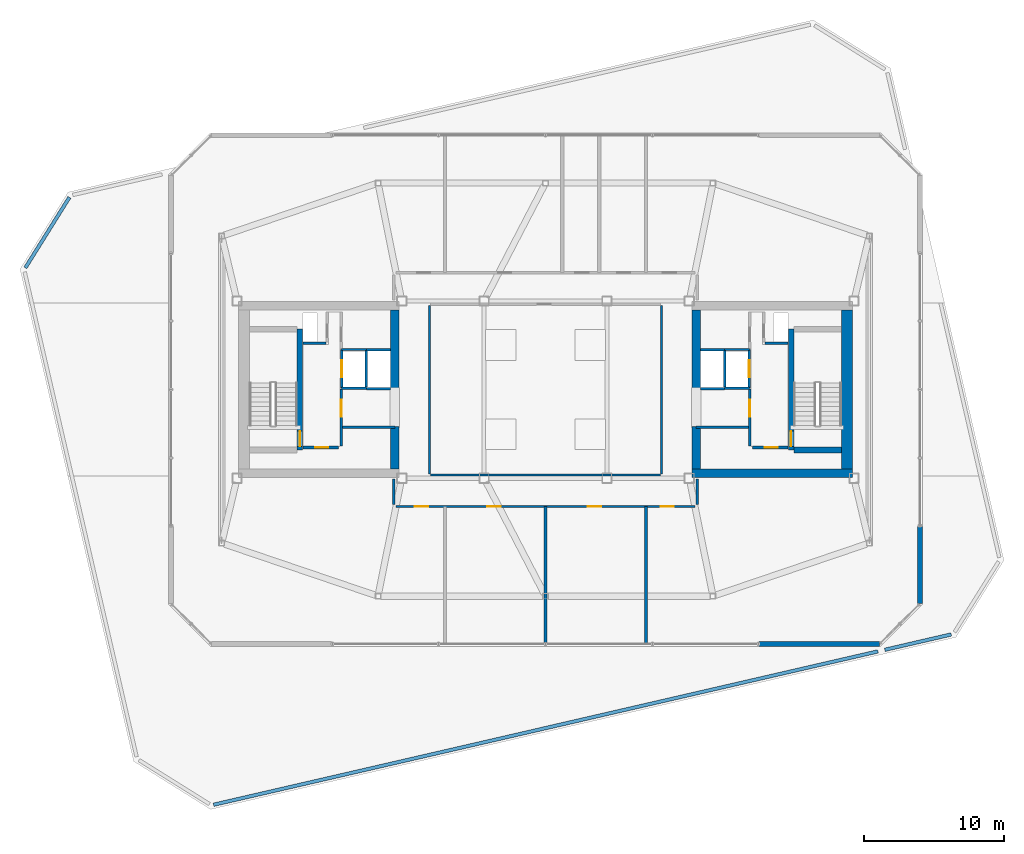
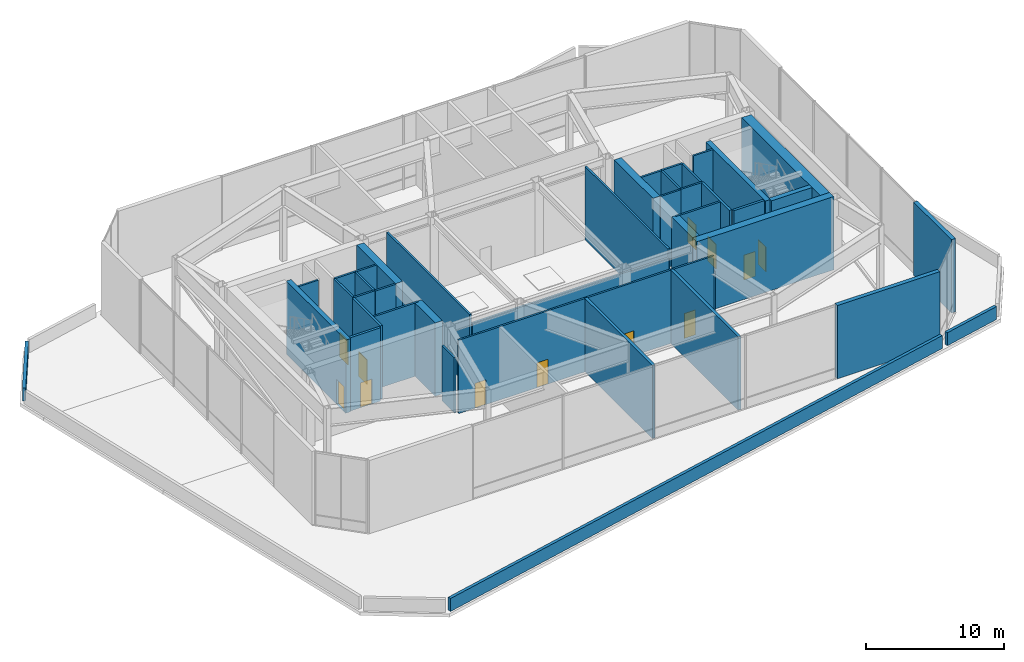
# One storey, part 20 of 25: 42 walls, 12 doors, 12 openings.
"""IFC4 building model written with IfcOpenShell, lengths in metres."""

from ifc_helpers import new_model, si_unit, direction, frame, frame_2d, origin, place, context, subcontext, project, spatial, rectangle, extrude, material, layer, layer_set, type_object, element, fill, save


model = new_model("IFC4")

# Units and contexts
model_context = context("Model", 3, precision=1e-05, world=origin(), true_north=direction((0.0, 1.0)))
body_context = subcontext(model_context, "Body", "Model", "MODEL_VIEW")
ifc_project = project(units=[si_unit("LENGTHUNIT", "METRE"), si_unit("AREAUNIT", "SQUARE_METRE"), si_unit("VOLUMEUNIT", "CUBIC_METRE"), si_unit("PLANEANGLEUNIT", "RADIAN"), si_unit("MASSUNIT", "GRAM", prefix="KILO")], contexts=[model_context])

# Site, building, storey
site_placement = place(None, origin())
site = spatial("IfcSite", under=ifc_project, at=site_placement, CompositionType="ELEMENT")
building_placement = place(site_placement, origin())
building = spatial("IfcBuilding", under=site, at=building_placement, Name="Tavrogorsk Clinical Tower", CompositionType="ELEMENT")
storey_placement = place(building_placement, frame((0.0, 0.0, 333.0)))
storey = spatial("IfcBuildingStorey", under=building, at=storey_placement, Name="L78", CompositionType="ELEMENT", Elevation=333.0)

# Walls
ifc_material_1 = material(Name="Concrete B45 acoustic studio wall", Category="concrete")
ifc_layer_1 = layer(ifc_material_1, 0.239990234375)
ifc_layer_set_1 = layer_set([ifc_layer_1], Name="Concrete B45 acoustic studio wall")
wall_type_1 = type_object("IfcWallType", Name="AcousticWall_240", PredefinedType="PARTITIONING", material=ifc_layer_set_1)
for number, where, z_axis, x_axis, name in (
    (1, (7.199951171875, -18.239990234375, 0.0), (0.0, 0.0, 1.0), (0.0, 1.0, 0.0), "L78 Crown Partition 2"),
    (2, (0.0, -18.239990234375, 0.0), (0.0, 0.0, 1.0), (0.0, 1.0, 0.0), "L78 Crown Partition 5"),
):
    element("IfcWall", number, at=place(storey_placement, frame(where, z_axis=z_axis, x_axis=x_axis)), inside=storey, type_object=wall_type_1, Name=name, PredefinedType="PARTITIONING", context=body_context, shape_type="SweptSolid", body=[
        extrude(rectangle(XDim=9.85498046875, YDim=0.239990234375, at=frame_2d((4.927490234375, 0.0))), origin(), (0.0, 0.0, 1.0), 6.5),
    ])

# Wall, opening, door
ifc_material_2 = material(Name="Concrete B60", Category="concrete")
ifc_layer_2 = layer(ifc_material_2, 0.199951171875)
ifc_layer_set_2 = layer_set([ifc_layer_2], Name="Concrete B60")
wall_type_2 = type_object("IfcWallType", Name="CoreFireWall_200", PredefinedType="SOLIDWALL", material=ifc_layer_set_2)
wall_1_placement = place(storey_placement, frame((-17.3798828125, -4.139892578125, 0.0), z_axis=(0.0, 0.0, 1.0), x_axis=(1.0, 0.0, 0.0)))
wall_1 = element("IfcWall", 3, at=wall_1_placement, inside=storey, type_object=wall_type_2, Name="L78 Core West South Core Room Fire Wall", PredefinedType="SOLIDWALL", context=body_context, shape_type="SweptSolid", body=[
    extrude(rectangle(XDim=2.554931640625, YDim=0.199951171875, at=frame_2d((1.27734375, 0.0))), origin(), (0.0, 0.0, 1.0), 6.5),
])
opening_1_placement = place(wall_1_placement, frame((0.8798828125, 0.0, 0.0)))
opening_1 = element("IfcOpeningElement", 4, at=opening_1_placement, cuts=wall_1, Name="Opening ID-02", PredefinedType="OPENING", context=body_context, shape_type="SweptSolid", body=[
    extrude(rectangle(XDim=0.949951171875, YDim=2.199951171875, at=frame_2d((0.47509765625, 1.10009765625))), frame((0.0, 0.10986328125, 0.0), z_axis=(0.0, -1.0, 0.0), x_axis=(1.0, 0.0, 0.0)), (0.0, 0.0, 1.0), 0.219970703125),
])
ifc_material_3 = material(Name="Laminated timber leaf on aluminium frame", Category="wood")
door_type_1 = type_object("IfcDoorType", Name="InteriorDoor_ID02_950", OperationType="NOTDEFINED", PredefinedType="DOOR", material=ifc_material_3)
door_1_placement = place(opening_1_placement, origin())
door_1 = element("IfcDoor", 5, at=door_1_placement, inside=storey, type_object=door_type_1, Name="L78 Core West South Core Room Door", OperationType="SINGLE_SWING_RIGHT", OverallHeight=2.199951171875, OverallWidth=0.949951171875, PredefinedType="DOOR", context=body_context, shape_type="SweptSolid", body=[
    extrude(rectangle(XDim=0.949951171875, YDim=2.199951171875, at=frame_2d((0.47509765625, 1.10009765625))), frame((0.0, 0.02490234375, 0.0), z_axis=(0.0, -1.0, 0.0), x_axis=(1.0, 0.0, 0.0)), (0.0, 0.0, 1.0), 0.050048828125),
])
fill(opening_1, door_1)

wall_2_placement = place(storey_placement, frame((-14.639892578125, -4.034912109375, 0.0), z_axis=(0.0, 0.0, 1.0), x_axis=(0.0, 1.0, 0.0)))
wall_2 = element("IfcWall", 6, at=wall_2_placement, inside=storey, type_object=wall_type_2, Name="L78 Core West Firefighting Lobby Fire Wall", PredefinedType="SOLIDWALL", context=body_context, shape_type="SweptSolid", body=[
    extrude(rectangle(XDim=4.074951171875, YDim=0.199951171875, at=frame_2d((2.03759765625, 0.0))), origin(), (0.0, 0.0, 1.0), 6.5),
])
opening_2_placement = place(wall_2_placement, frame((2.090087890625, 0.0, 0.0)))
opening_2 = element("IfcOpeningElement", 7, at=opening_2_placement, cuts=wall_2, Name="Opening FD-01", PredefinedType="OPENING", context=body_context, shape_type="SweptSolid", body=[
    extrude(rectangle(XDim=1.199951171875, YDim=2.199951171875, at=frame_2d((0.60009765625, 1.10009765625))), frame((0.0, 0.10986328125, 0.0), z_axis=(0.0, -1.0, 0.0), x_axis=(1.0, 0.0, 0.0)), (0.0, 0.0, 1.0), 0.219970703125),
])
ifc_material_4 = material(Name="Galvanised steel fire-rated door assembly", Category="steel")
door_type_2 = type_object("IfcDoorType", Name="FireDoor_FD01_1200", OperationType="NOTDEFINED", PredefinedType="DOOR", material=ifc_material_4)
door_2_placement = place(opening_2_placement, origin())
door_2 = element("IfcDoor", 8, at=door_2_placement, inside=storey, type_object=door_type_2, Name="L78 Core West Firefighting Lobby Entry Door", OperationType="SINGLE_SWING_RIGHT", OverallHeight=2.199951171875, OverallWidth=1.199951171875, PredefinedType="DOOR", context=body_context, shape_type="SweptSolid", body=[
    extrude(rectangle(XDim=1.199951171875, YDim=2.199951171875, at=frame_2d((0.60009765625, 1.10009765625))), frame((0.0, 0.02490234375, 0.0), z_axis=(0.0, -1.0, 0.0), x_axis=(1.0, 0.0, 0.0)), (0.0, 0.0, 1.0), 0.050048828125),
])
fill(opening_2, door_2)

wall_3_placement = place(storey_placement, frame((14.824951171875, -4.139892578125, 0.0), z_axis=(0.0, 0.0, 1.0), x_axis=(1.0, 0.0, 0.0)))
wall_3 = element("IfcWall", 9, at=wall_3_placement, inside=storey, type_object=wall_type_2, Name="L78 Core East South Core Room Fire Wall", PredefinedType="SOLIDWALL", context=body_context, shape_type="SweptSolid", body=[
    extrude(rectangle(XDim=2.554931640625, YDim=0.199951171875, at=frame_2d((1.27734375, 0.0))), origin(), (0.0, 0.0, 1.0), 6.5),
])
opening_3_placement = place(wall_3_placement, frame((0.8798828125, 0.0, 0.0)))
opening_3 = element("IfcOpeningElement", 10, at=opening_3_placement, cuts=wall_3, Name="Opening ID-02", PredefinedType="OPENING", context=body_context, shape_type="SweptSolid", body=[
    extrude(rectangle(XDim=0.949951171875, YDim=2.199951171875, at=frame_2d((0.47509765625, 1.10009765625))), frame((0.0, 0.10986328125, 0.0), z_axis=(0.0, -1.0, 0.0), x_axis=(1.0, 0.0, 0.0)), (0.0, 0.0, 1.0), 0.219970703125),
])
door_3_placement = place(opening_3_placement, origin())
door_3 = element("IfcDoor", 11, at=door_3_placement, inside=storey, type_object=door_type_1, Name="L78 Core East South Core Room Door", OperationType="SINGLE_SWING_RIGHT", OverallHeight=2.199951171875, OverallWidth=0.949951171875, PredefinedType="DOOR", context=body_context, shape_type="SweptSolid", body=[
    extrude(rectangle(XDim=0.949951171875, YDim=2.199951171875, at=frame_2d((0.47509765625, 1.10009765625))), frame((0.0, 0.02490234375, 0.0), z_axis=(0.0, -1.0, 0.0), x_axis=(1.0, 0.0, 0.0)), (0.0, 0.0, 1.0), 0.050048828125),
])
fill(opening_3, door_3)

wall_4_placement = place(storey_placement, frame((14.639892578125, -4.034912109375, 0.0), z_axis=(0.0, 0.0, 1.0), x_axis=(0.0, 1.0, 0.0)))
wall_4 = element("IfcWall", 12, at=wall_4_placement, inside=storey, type_object=wall_type_2, Name="L78 Core East Firefighting Lobby Fire Wall", PredefinedType="SOLIDWALL", context=body_context, shape_type="SweptSolid", body=[
    extrude(rectangle(XDim=4.074951171875, YDim=0.199951171875, at=frame_2d((2.03759765625, 0.0))), origin(), (0.0, 0.0, 1.0), 6.5),
])
opening_4_placement = place(wall_4_placement, frame((2.090087890625, 0.0, 0.0)))
opening_4 = element("IfcOpeningElement", 13, at=opening_4_placement, cuts=wall_4, Name="Opening FD-01", PredefinedType="OPENING", context=body_context, shape_type="SweptSolid", body=[
    extrude(rectangle(XDim=1.199951171875, YDim=2.199951171875, at=frame_2d((0.60009765625, 1.10009765625))), frame((0.0, 0.10986328125, 0.0), z_axis=(0.0, -1.0, 0.0), x_axis=(1.0, 0.0, 0.0)), (0.0, 0.0, 1.0), 0.219970703125),
])
door_4_placement = place(opening_4_placement, origin())
door_4 = element("IfcDoor", 14, at=door_4_placement, inside=storey, type_object=door_type_2, Name="L78 Core East Firefighting Lobby Entry Door", OperationType="SINGLE_SWING_RIGHT", OverallHeight=2.199951171875, OverallWidth=1.199951171875, PredefinedType="DOOR", context=body_context, shape_type="SweptSolid", body=[
    extrude(rectangle(XDim=1.199951171875, YDim=2.199951171875, at=frame_2d((0.60009765625, 1.10009765625))), frame((0.0, 0.02490234375, 0.0), z_axis=(0.0, -1.0, 0.0), x_axis=(1.0, 0.0, 0.0)), (0.0, 0.0, 1.0), 0.050048828125),
])
fill(opening_4, door_4)

# Walls
ifc_material_5 = material(Name="Lightweight concrete blockwork B15", Category="masonry")
ifc_layer_3 = layer(ifc_material_5, 0.159912109375)
ifc_layer_set_3 = layer_set([ifc_layer_3], Name="Lightweight concrete blockwork B15")
wall_type_3 = type_object("IfcWallType", Name="PartitionWall_160", PredefinedType="PARTITIONING", material=ifc_layer_set_3)
for number, where, z_axis, x_axis, name in (
    (15, (-14.534912109375, -2.699951171875, 0.0), (0.0, 0.0, 1.0), (1.0, 0.0, 0.0), "L78 Core West Freed Mid-Bank North Partition"),
    (16, (10.800048828125, -2.699951171875, 0.0), (0.0, 0.0, 1.0), (1.0, 0.0, 0.0), "L78 Core East Freed Mid-Bank North Partition"),
):
    element("IfcWall", number, at=place(storey_placement, frame(where, z_axis=z_axis, x_axis=x_axis)), inside=storey, type_object=wall_type_3, Name=name, PredefinedType="PARTITIONING", context=body_context, shape_type="SweptSolid", body=[
        extrude(rectangle(XDim=3.73486328125, YDim=0.159912109375, at=frame_2d((1.867431640625, 0.0))), origin(), (0.0, 0.0, 1.0), 6.5),
    ])
for number, where, z_axis, x_axis, name in (
    (17, (-10.8798828125, -8.215087890625, 0.0), (0.0, 0.0, 1.0), (0.0, 1.0, 0.0), "L78 Crown Corridor Wall 01"),
    (18, (10.8798828125, -6.419921875, 0.0), (0.0, 0.0, 1.0), (0.0, -1.0, 0.0), "L78 Crown Corridor Wall 05"),
):
    element("IfcWall", number, at=place(storey_placement, frame(where, z_axis=z_axis, x_axis=x_axis)), inside=storey, type_object=wall_type_3, Name=name, PredefinedType="PARTITIONING", context=body_context, shape_type="SweptSolid", body=[
        extrude(rectangle(XDim=1.795166015625, YDim=0.159912109375, at=frame_2d((0.8974609375, 0.0))), origin(), (0.0, 0.0, 1.0), 4.89501953125),
    ])

# Wall, openings, doors
wall_5_placement = place(storey_placement, frame((10.715087890625, -8.3798828125, 0.0), z_axis=(0.0, 0.0, 1.0), x_axis=(-1.0, 0.0, 0.0)))
wall_5 = element("IfcWall", 19, at=wall_5_placement, inside=storey, type_object=wall_type_3, Name="L78 Crown Corridor Wall 06", PredefinedType="PARTITIONING", context=body_context, shape_type="SweptSolid", body=[
    extrude(rectangle(XDim=21.43017578125, YDim=0.159912109375, at=frame_2d((10.715087890625, 0.0))), origin(), (0.0, 0.0, 1.0), 6.5),
])
opening_5_placement = place(wall_5_placement, frame((13.925048828125, 0.0, 0.0)))
opening_5 = element("IfcOpeningElement", 20, at=opening_5_placement, cuts=wall_5, Name="Opening ID-02", PredefinedType="OPENING", context=body_context, shape_type="SweptSolid", body=[
    extrude(rectangle(XDim=0.949951171875, YDim=2.199951171875, at=frame_2d((0.47509765625, 1.10009765625))), frame((0.0, 0.08984375, 0.0), z_axis=(0.0, -1.0, 0.0), x_axis=(1.0, 0.0, 0.0)), (0.0, 0.0, 1.0), 0.179931640625),
])
opening_6_placement = place(wall_5_placement, frame((6.72509765625, 0.0, 0.0)))
opening_6 = element("IfcOpeningElement", 21, at=opening_6_placement, cuts=wall_5, Name="Opening ID-02", PredefinedType="OPENING", context=body_context, shape_type="SweptSolid", body=[
    extrude(rectangle(XDim=0.949951171875, YDim=2.199951171875, at=frame_2d((0.47509765625, 1.10009765625))), frame((0.0, 0.08984375, 0.0), z_axis=(0.0, -1.0, 0.0), x_axis=(1.0, 0.0, 0.0)), (0.0, 0.0, 1.0), 0.179931640625),
])
opening_7_placement = place(wall_5_placement, frame((19.130859375, 0.0, 0.0)))
opening_7 = element("IfcOpeningElement", 22, at=opening_7_placement, cuts=wall_5, Name="Opening ID-02", PredefinedType="OPENING", context=body_context, shape_type="SweptSolid", body=[
    extrude(rectangle(XDim=0.949951171875, YDim=2.199951171875, at=frame_2d((0.47509765625, 1.10009765625))), frame((0.0, 0.08984375, 0.0), z_axis=(0.0, -1.0, 0.0), x_axis=(1.0, 0.0, 0.0)), (0.0, 0.0, 1.0), 0.179931640625),
])
opening_8_placement = place(wall_5_placement, frame((1.51904296875, 0.0, 0.0)))
opening_8 = element("IfcOpeningElement", 23, at=opening_8_placement, cuts=wall_5, Name="Opening ID-02", PredefinedType="OPENING", context=body_context, shape_type="SweptSolid", body=[
    extrude(rectangle(XDim=0.949951171875, YDim=2.199951171875, at=frame_2d((0.47509765625, 1.10009765625))), frame((0.0, 0.08984375, 0.0), z_axis=(0.0, -1.0, 0.0), x_axis=(1.0, 0.0, 0.0)), (0.0, 0.0, 1.0), 0.179931640625),
])
door_5_placement = place(opening_5_placement, origin())
door_5 = element("IfcDoor", 24, at=door_5_placement, inside=storey, type_object=door_type_1, Name="L78 South-West Sky Observatory Gallery Door", OperationType="SINGLE_SWING_RIGHT", OverallHeight=2.199951171875, OverallWidth=0.949951171875, PredefinedType="DOOR", context=body_context, shape_type="SweptSolid", body=[
    extrude(rectangle(XDim=0.949951171875, YDim=2.199951171875, at=frame_2d((0.47509765625, 1.10009765625))), frame((0.0, 0.02490234375, 0.0), z_axis=(0.0, -1.0, 0.0), x_axis=(1.0, 0.0, 0.0)), (0.0, 0.0, 1.0), 0.050048828125),
])
fill(opening_5, door_5)
door_6_placement = place(opening_6_placement, origin())
door_6 = element("IfcDoor", 25, at=door_6_placement, inside=storey, type_object=door_type_1, Name="L78 South-East Medical Lecture Lounge Door", OperationType="SINGLE_SWING_LEFT", OverallHeight=2.199951171875, OverallWidth=0.949951171875, PredefinedType="DOOR", context=body_context, shape_type="SweptSolid", body=[
    extrude(rectangle(XDim=0.949951171875, YDim=2.199951171875, at=frame_2d((0.47509765625, 1.10009765625))), frame((0.0, 0.02490234375, 0.0), z_axis=(0.0, -1.0, 0.0), x_axis=(1.0, 0.0, 0.0)), (0.0, 0.0, 1.0), 0.050048828125),
])
fill(opening_6, door_6)
door_7_placement = place(opening_7_placement, origin())
door_7 = element("IfcDoor", 26, at=door_7_placement, inside=storey, type_object=door_type_1, Name="L78 West Donor Reception Salon Door", OperationType="SINGLE_SWING_LEFT", OverallHeight=2.199951171875, OverallWidth=0.949951171875, PredefinedType="DOOR", context=body_context, shape_type="SweptSolid", body=[
    extrude(rectangle(XDim=0.949951171875, YDim=2.199951171875, at=frame_2d((0.47509765625, 1.10009765625))), frame((0.0, 0.02490234375, 0.0), z_axis=(0.0, -1.0, 0.0), x_axis=(1.0, 0.0, 0.0)), (0.0, 0.0, 1.0), 0.050048828125),
])
fill(opening_7, door_7)
door_8_placement = place(opening_8_placement, origin())
door_8 = element("IfcDoor", 27, at=door_8_placement, inside=storey, type_object=door_type_1, Name="L78 East Clinical Telemetry Showcase Door", OperationType="SINGLE_SWING_RIGHT", OverallHeight=2.199951171875, OverallWidth=0.949951171875, PredefinedType="DOOR", context=body_context, shape_type="SweptSolid", body=[
    extrude(rectangle(XDim=0.949951171875, YDim=2.199951171875, at=frame_2d((0.47509765625, 1.10009765625))), frame((0.0, 0.02490234375, 0.0), z_axis=(0.0, -1.0, 0.0), x_axis=(1.0, 0.0, 0.0)), (0.0, 0.0, 1.0), 0.050048828125),
])
fill(opening_8, door_8)

# Walls
for number, where, z_axis, x_axis, name in (
    (28, (8.320068359375, -6.034912109375, 0.0), (0.0, 0.0, 1.0), (0.0, 1.0, 0.0), "L78 Crown Corridor Wall 07"),
    (29, (-8.320068359375, 6.034912109375, 0.0), (0.0, 0.0, 1.0), (0.0, -1.0, 0.0), "L78 Crown Corridor Wall 09"),
):
    element("IfcWall", number, at=place(storey_placement, frame(where, z_axis=z_axis, x_axis=x_axis)), inside=storey, type_object=wall_type_3, Name=name, PredefinedType="PARTITIONING", context=body_context, shape_type="SweptSolid", body=[
        extrude(rectangle(XDim=12.06982421875, YDim=0.159912109375, at=frame_2d((6.034912109375, 0.0))), origin(), (0.0, 0.0, 1.0), 6.5),
    ])
wall_6_placement = place(storey_placement, frame((-8.235107421875, -6.1201171875, 0.0), z_axis=(0.0, 0.0, 1.0), x_axis=(1.0, 0.0, 0.0)))
element("IfcWall", 30, at=wall_6_placement, inside=storey, type_object=wall_type_3, Name="L78 Crown Corridor Wall 10", PredefinedType="PARTITIONING", context=body_context, shape_type="SweptSolid", body=[
    extrude(rectangle(XDim=16.47021484375, YDim=0.159912109375, at=frame_2d((8.235107421875, 0.0))), origin(), (0.0, 0.0, 1.0), 5.794921875),
])
ifc_material_6 = material(Name="Precast concrete B45 with limestone cladding", Category="masonry")
ifc_layer_4 = layer(ifc_material_6, 0.340087890625)
ifc_layer_set_4 = layer_set([ifc_layer_4], Name="Precast concrete B45 with limestone cladding")
wall_type_4 = type_object("IfcWallType", Name="PrecastLimestoneWall_340", PredefinedType="STANDARD", material=ifc_layer_set_4)
wall_7_placement = place(storey_placement, frame((26.830078125, -9.811279296875, 0.0), z_axis=(0.0, 0.0, 1.0), x_axis=(0.0, -1.0, 0.0)))
element("IfcWall", 31, at=wall_7_placement, inside=storey, type_object=wall_type_4, Name="L78 Damper Lantern Pier 6-2", PredefinedType="STANDARD", context=body_context, shape_type="SweptSolid", body=[
    extrude(rectangle(XDim=5.518310546875, YDim=0.340087890625, at=frame_2d((2.75927734375, 0.0))), origin(), (0.0, 0.0, 1.0), 6.5),
])
wall_8_placement = place(storey_placement, frame((23.9296875, -18.22998046875, 0.0), z_axis=(0.0, 0.0, 1.0), x_axis=(-1.0, 0.0, 0.0)))
element("IfcWall", 32, at=wall_8_placement, inside=storey, type_object=wall_type_4, Name="L78 Damper Lantern Pier 8-1", PredefinedType="STANDARD", context=body_context, shape_type="SweptSolid", body=[
    extrude(rectangle(XDim=8.614990234375, YDim=0.340087890625, at=frame_2d((4.3076171875, 0.0))), origin(), (0.0, 0.0, 1.0), 6.5),
])
ifc_material_7 = material(Name="Concrete B60", Category="concrete")
ifc_layer_5 = layer(ifc_material_7, 0.25)
ifc_layer_set_5 = layer_set([ifc_layer_5], Name="Concrete B60")
wall_type_5 = type_object("IfcWallType", Name="RoofParapetWall_250", PredefinedType="PARAPET", material=ifc_layer_set_5)
wall_9_placement = place(storey_placement, frame((-37.267822265625, 8.723388671875, 0.0), z_axis=(0.0, 0.0, 1.0), x_axis=(0.529939961638, 0.848035162631, 0.0)))
element("IfcWall", 33, at=wall_9_placement, inside=storey, type_object=wall_type_5, Name="L78 Setback Coping Parapet 3", PredefinedType="PARAPET", context=body_context, shape_type="SweptSolid", body=[
    extrude(rectangle(XDim=5.95361328125, YDim=0.25, at=frame_2d((2.976806640625, 0.0))), origin(), (0.0, 0.0, 1.0), 1.14990234375),
])
wall_10_placement = place(storey_placement, frame((29.072265625, -17.543701171875, 0.0), z_axis=(0.0, 0.0, 1.0), x_axis=(-0.974367604085, -0.224961712541, 0.0)))
element("IfcWall", 34, at=wall_10_placement, inside=storey, type_object=wall_type_5, Name="L78 Setback Coping Parapet 10", PredefinedType="PARAPET", context=body_context, shape_type="SweptSolid", body=[
    extrude(rectangle(XDim=4.884765625, YDim=0.25, at=frame_2d((2.4423828125, 0.0))), origin(), (0.0, 0.0, 1.0), 1.14990234375),
])
wall_11_placement = place(storey_placement, frame((23.82177734375, -18.756103515625, 0.0), z_axis=(0.0, 0.0, 1.0), x_axis=(-0.97437013751, -0.22495073934, 0.0)))
element("IfcWall", 35, at=wall_11_placement, inside=storey, type_object=wall_type_5, Name="L78 Setback Coping Parapet 11", PredefinedType="PARAPET", context=body_context, shape_type="SweptSolid", body=[
    extrude(rectangle(XDim=48.859375, YDim=0.25, at=frame_2d((24.4296875, 0.0))), origin(), (0.0, 0.0, 1.0), 1.14990234375),
])

# Wall, opening, door
ifc_material_8 = material(Name="Lightweight concrete blockwork B25", Category="masonry")
ifc_layer_6 = layer(ifc_material_8, 0.159912109375)
ifc_layer_set_6 = layer_set([ifc_layer_6], Name="Lightweight concrete blockwork B25")
wall_type_6 = type_object("IfcWallType", Name="ShaftWall_160", PredefinedType="PARTITIONING", material=ifc_layer_set_6)
wall_12_placement = place(storey_placement, frame((-14.60009765625, 0.1201171875, 0.0), z_axis=(0.0, 0.0, 1.0), x_axis=(0.0, 1.0, 0.0)))
wall_12 = element("IfcWall", 36, at=wall_12_placement, inside=storey, type_object=wall_type_6, Name="L78 FFL-W Firefighting Lift Front Wall", PredefinedType="PARTITIONING", context=body_context, shape_type="SweptSolid", body=[
    extrude(rectangle(XDim=2.739990234375, YDim=0.159912109375, at=frame_2d((1.3701171875, 0.0))), origin(), (0.0, 0.0, 1.0), 6.5),
])
opening_9_placement = place(wall_12_placement, frame((0.77001953125, 0.0, 0.0)))
opening_9 = element("IfcOpeningElement", 37, at=opening_9_placement, cuts=wall_12, Name="Opening LD", PredefinedType="OPENING", context=body_context, shape_type="SweptSolid", body=[
    extrude(rectangle(XDim=1.199951171875, YDim=2.199951171875, at=frame_2d((0.60009765625, 1.10009765625))), frame((0.0, 0.08984375, 0.0), z_axis=(0.0, -1.0, 0.0), x_axis=(1.0, 0.0, 0.0)), (0.0, 0.0, 1.0), 0.179931640625),
])
ifc_material_9 = material(Name="Brushed stainless steel AISI 304 sliding doors", Category="steel")
door_type_3 = type_object("IfcDoorType", Name="LiftLandingDoor_LD_1200", OperationType="SLIDING_TO_LEFT", PredefinedType="DOOR", material=ifc_material_9)
door_9_placement = place(opening_9_placement, origin())
door_9 = element("IfcDoor", 38, at=door_9_placement, inside=storey, type_object=door_type_3, Name="L78 FFL-W Sliding Lift Landing Door", OperationType="SLIDING_TO_LEFT", OverallHeight=2.199951171875, OverallWidth=1.199951171875, PredefinedType="DOOR", context=body_context, shape_type="SweptSolid", body=[
    extrude(rectangle(XDim=1.199951171875, YDim=2.199951171875, at=frame_2d((0.60009765625, 1.10009765625))), frame((0.0, 0.02490234375, 0.0), z_axis=(0.0, -1.0, 0.0), x_axis=(1.0, 0.0, 0.0)), (0.0, 0.0, 1.0), 0.050048828125),
])
fill(opening_9, door_9)

# Walls
for number, where, z_axis, x_axis, name in (
    (39, (-14.60009765625, 0.10009765625, 0.0), (0.0, 0.0, 1.0), (1.0, 0.0, 0.0), "L78 FFL-W Shaft South Wall"),
    (40, (-14.60009765625, 2.8798828125, 0.0), (0.0, 0.0, 1.0), (1.0, 0.0, 0.0), "L78 FFL-W Shaft North Wall"),
):
    element("IfcWall", number, at=place(storey_placement, frame(where, z_axis=z_axis, x_axis=x_axis)), inside=storey, type_object=wall_type_6, Name=name, PredefinedType="PARTITIONING", context=body_context, shape_type="SweptSolid", body=[
        extrude(rectangle(XDim=1.760009765625, YDim=0.159912109375, at=frame_2d((0.8798828125, 0.0))), origin(), (0.0, 0.0, 1.0), 6.5),
    ])
wall_13_placement = place(storey_placement, frame((-12.840087890625, 0.179931640625, 0.0), z_axis=(0.0, 0.0, 1.0), x_axis=(0.0, 1.0, 0.0)))
element("IfcWall", 41, at=wall_13_placement, inside=storey, type_object=wall_type_6, Name="L78 FFL-W Shaft Back Wall", PredefinedType="PARTITIONING", context=body_context, shape_type="SweptSolid", body=[
    extrude(rectangle(XDim=2.6201171875, YDim=0.159912109375, at=frame_2d((1.31005859375, 0.0))), origin(), (0.0, 0.0, 1.0), 6.5),
])
for number, where, z_axis, x_axis, name in (
    (42, (-12.820068359375, 0.06005859375, 0.0), (0.0, 0.0, 1.0), (1.0, 0.0, 0.0), "L78 LP-H1 High-Zone Lift Portal Wall"),
    (43, (-12.820068359375, 2.860107421875, 0.0), (0.0, 0.0, 1.0), (1.0, 0.0, 0.0), "L78 LP-H1 High-Zone Lift Rear Wall"),
):
    element("IfcWall", number, at=place(storey_placement, frame(where, z_axis=z_axis, x_axis=x_axis)), inside=storey, type_object=wall_type_6, Name=name, PredefinedType="PARTITIONING", context=body_context, shape_type="SweptSolid", body=[
        extrude(rectangle(XDim=1.719970703125, YDim=0.159912109375, at=frame_2d((0.85986328125, 0.0))), origin(), (0.0, 0.0, 1.0), 6.5),
    ])

# Wall, opening, door
wall_14_placement = place(storey_placement, frame((14.60009765625, 0.1201171875, 0.0), z_axis=(0.0, 0.0, 1.0), x_axis=(0.0, 1.0, 0.0)))
wall_14 = element("IfcWall", 44, at=wall_14_placement, inside=storey, type_object=wall_type_6, Name="L78 FFL-E Firefighting Lift Front Wall", PredefinedType="PARTITIONING", context=body_context, shape_type="SweptSolid", body=[
    extrude(rectangle(XDim=2.739990234375, YDim=0.159912109375, at=frame_2d((1.3701171875, 0.0))), origin(), (0.0, 0.0, 1.0), 6.5),
])
opening_10_placement = place(wall_14_placement, frame((0.77001953125, 0.0, 0.0)))
opening_10 = element("IfcOpeningElement", 45, at=opening_10_placement, cuts=wall_14, Name="Opening LD", PredefinedType="OPENING", context=body_context, shape_type="SweptSolid", body=[
    extrude(rectangle(XDim=1.199951171875, YDim=2.199951171875, at=frame_2d((0.60009765625, 1.10009765625))), frame((0.0, 0.08984375, 0.0), z_axis=(0.0, -1.0, 0.0), x_axis=(1.0, 0.0, 0.0)), (0.0, 0.0, 1.0), 0.179931640625),
])
door_10_placement = place(opening_10_placement, origin())
door_10 = element("IfcDoor", 46, at=door_10_placement, inside=storey, type_object=door_type_3, Name="L78 FFL-E Sliding Lift Landing Door", OperationType="SLIDING_TO_LEFT", OverallHeight=2.199951171875, OverallWidth=1.199951171875, PredefinedType="DOOR", context=body_context, shape_type="SweptSolid", body=[
    extrude(rectangle(XDim=1.199951171875, YDim=2.199951171875, at=frame_2d((0.60009765625, 1.10009765625))), frame((0.0, 0.02490234375, 0.0), z_axis=(0.0, -1.0, 0.0), x_axis=(1.0, 0.0, 0.0)), (0.0, 0.0, 1.0), 0.050048828125),
])
fill(opening_10, door_10)

# Walls
for number, where, z_axis, x_axis, name in (
    (47, (12.840087890625, 0.10009765625, 0.0), (0.0, 0.0, 1.0), (1.0, 0.0, 0.0), "L78 FFL-E Shaft South Wall"),
    (48, (12.840087890625, 2.8798828125, 0.0), (0.0, 0.0, 1.0), (1.0, 0.0, 0.0), "L78 FFL-E Shaft North Wall"),
):
    element("IfcWall", number, at=place(storey_placement, frame(where, z_axis=z_axis, x_axis=x_axis)), inside=storey, type_object=wall_type_6, Name=name, PredefinedType="PARTITIONING", context=body_context, shape_type="SweptSolid", body=[
        extrude(rectangle(XDim=1.760009765625, YDim=0.159912109375, at=frame_2d((0.8798828125, 0.0))), origin(), (0.0, 0.0, 1.0), 6.5),
    ])
wall_15_placement = place(storey_placement, frame((12.840087890625, 0.179931640625, 0.0), z_axis=(0.0, 0.0, 1.0), x_axis=(0.0, 1.0, 0.0)))
element("IfcWall", 49, at=wall_15_placement, inside=storey, type_object=wall_type_6, Name="L78 FFL-E Shaft Back Wall", PredefinedType="PARTITIONING", context=body_context, shape_type="SweptSolid", body=[
    extrude(rectangle(XDim=2.6201171875, YDim=0.159912109375, at=frame_2d((1.31005859375, 0.0))), origin(), (0.0, 0.0, 1.0), 6.5),
])
for number, where, z_axis, x_axis, name in (
    (50, (11.10009765625, 0.06005859375, 0.0), (0.0, 0.0, 1.0), (1.0, 0.0, 0.0), "L78 LP-H2 High-Zone Lift Portal Wall"),
    (51, (11.10009765625, 2.860107421875, 0.0), (0.0, 0.0, 1.0), (1.0, 0.0, 0.0), "L78 LP-H2 High-Zone Lift Rear Wall"),
):
    element("IfcWall", number, at=place(storey_placement, frame(where, z_axis=z_axis, x_axis=x_axis)), inside=storey, type_object=wall_type_6, Name=name, PredefinedType="PARTITIONING", context=body_context, shape_type="SweptSolid", body=[
        extrude(rectangle(XDim=1.719970703125, YDim=0.159912109375, at=frame_2d((0.85986328125, 0.0))), origin(), (0.0, 0.0, 1.0), 6.5),
    ])
for number, where, z_axis, x_axis, name in (
    (52, (-17.3798828125, 3.320068359375, 0.0), (0.0, 0.0, 1.0), (1.0, 0.0, 0.0), "L78 Core West Riser South Wall"),
    (53, (15.72509765625, 3.320068359375, 0.0), (0.0, 0.0, 1.0), (1.0, 0.0, 0.0), "L78 Core East Riser South Wall"),
):
    element("IfcWall", number, at=place(storey_placement, frame(where, z_axis=z_axis, x_axis=x_axis)), inside=storey, type_object=wall_type_6, Name=name, PredefinedType="PARTITIONING", context=body_context, shape_type="SweptSolid", body=[
        extrude(rectangle(XDim=1.65478515625, YDim=0.159912109375, at=frame_2d((0.827392578125, 0.0))), origin(), (0.0, 0.0, 1.0), 6.5),
    ])

# Wall, opening, door
ifc_material_10 = material(Name="Concrete B80", Category="concrete")
ifc_layer_7 = layer(ifc_material_10, 0.39990234375)
ifc_layer_set_7 = layer_set([ifc_layer_7], Name="Concrete B80")
wall_type_7 = type_object("IfcWallType", Name="ShearWall_400", PredefinedType="SHEAR", material=ifc_layer_set_7)
wall_16_placement = place(storey_placement, frame((-17.60009765625, -4.324951171875, 0.0), z_axis=(0.0, 0.0, 1.0), x_axis=(0.0, 1.0, 0.0)))
wall_16 = element("IfcWall", 54, at=wall_16_placement, inside=storey, type_object=wall_type_7, Name="L78 Core West Stair Shaft Inner Shear Wall", PredefinedType="SHEAR", context=body_context, shape_type="SweptSolid", body=[
    extrude(rectangle(XDim=8.64990234375, YDim=0.39990234375, at=frame_2d((4.324951171875, 0.0))), origin(), (0.0, 0.0, 1.0), 6.5),
])
opening_11_placement = place(wall_16_placement, frame((0.25, 0.0, 0.0)))
opening_11 = element("IfcOpeningElement", 55, at=opening_11_placement, cuts=wall_16, Name="Opening SD-01", PredefinedType="OPENING", context=body_context, shape_type="SweptSolid", body=[
    extrude(rectangle(XDim=1.10009765625, YDim=2.199951171875, at=frame_2d((0.550048828125, 1.10009765625))), frame((0.0, 0.2099609375, 0.0), z_axis=(0.0, -1.0, 0.0), x_axis=(1.0, 0.0, 0.0)), (0.0, 0.0, 1.0), 0.419921875),
])
ifc_material_11 = material(Name="Galvanised steel smoke-tight fire door assembly", Category="steel")
door_type_4 = type_object("IfcDoorType", Name="StairFireDoor_SD01_1100", OperationType="NOTDEFINED", PredefinedType="DOOR", material=ifc_material_11)
door_11_placement = place(opening_11_placement, origin())
door_11 = element("IfcDoor", 56, at=door_11_placement, inside=storey, type_object=door_type_4, Name="L78 ST-W Exit Stair Door", OperationType="SINGLE_SWING_LEFT", OverallHeight=2.199951171875, OverallWidth=1.10009765625, PredefinedType="DOOR", context=body_context, shape_type="SweptSolid", body=[
    extrude(rectangle(XDim=1.10009765625, YDim=2.199951171875, at=frame_2d((0.550048828125, 1.10009765625))), frame((0.0, 0.02490234375, 0.0), z_axis=(0.0, -1.0, 0.0), x_axis=(1.0, 0.0, 0.0)), (0.0, 0.0, 1.0), 0.050048828125),
])
fill(opening_11, door_11)

wall_17_placement = place(storey_placement, frame((17.60009765625, -4.324951171875, 0.0), z_axis=(0.0, 0.0, 1.0), x_axis=(0.0, 1.0, 0.0)))
wall_17 = element("IfcWall", 57, at=wall_17_placement, inside=storey, type_object=wall_type_7, Name="L78 Core East Stair Shaft Inner Shear Wall", PredefinedType="SHEAR", context=body_context, shape_type="SweptSolid", body=[
    extrude(rectangle(XDim=8.64990234375, YDim=0.39990234375, at=frame_2d((4.324951171875, 0.0))), origin(), (0.0, 0.0, 1.0), 6.5),
])
opening_12_placement = place(wall_17_placement, frame((0.25, 0.0, 0.0)))
opening_12 = element("IfcOpeningElement", 58, at=opening_12_placement, cuts=wall_17, Name="Opening SD-01", PredefinedType="OPENING", context=body_context, shape_type="SweptSolid", body=[
    extrude(rectangle(XDim=1.10009765625, YDim=2.199951171875, at=frame_2d((0.550048828125, 1.10009765625))), frame((0.0, 0.2099609375, 0.0), z_axis=(0.0, -1.0, 0.0), x_axis=(1.0, 0.0, 0.0)), (0.0, 0.0, 1.0), 0.419921875),
])
door_12_placement = place(opening_12_placement, origin())
door_12 = element("IfcDoor", 59, at=door_12_placement, inside=storey, type_object=door_type_4, Name="L78 ST-E Exit Stair Door", OperationType="SINGLE_SWING_RIGHT", OverallHeight=2.199951171875, OverallWidth=1.10009765625, PredefinedType="DOOR", context=body_context, shape_type="SweptSolid", body=[
    extrude(rectangle(XDim=1.10009765625, YDim=2.199951171875, at=frame_2d((0.550048828125, 1.10009765625))), frame((0.0, 0.02490234375, 0.0), z_axis=(0.0, -1.0, 0.0), x_axis=(1.0, 0.0, 0.0)), (0.0, 0.0, 1.0), 0.050048828125),
])
fill(opening_12, door_12)

# Walls
wall_18_placement = place(storey_placement, frame((17.800048828125, -4.324951171875, 0.0), z_axis=(0.0, 0.0, 1.0), x_axis=(1.0, 0.0, 0.0)))
element("IfcWall", 60, at=wall_18_placement, inside=storey, type_object=wall_type_7, Name="L78 Core East Stair Shaft South Shear Wall", PredefinedType="SHEAR", context=body_context, shape_type="SweptSolid", body=[
    extrude(rectangle(XDim=3.39990234375, YDim=0.39990234375, at=frame_2d((1.699951171875, 0.0))), origin(), (0.0, 0.0, 1.0), 6.5),
])
ifc_material_12 = material(Name="Concrete B80", Category="concrete")
ifc_layer_8 = layer(ifc_material_12, 0.60009765625)
ifc_layer_set_8 = layer_set([ifc_layer_8], Name="Concrete B80")
wall_type_8 = type_object("IfcWallType", Name="ShearWall_600", PredefinedType="SHEAR", material=ifc_layer_set_8)
wall_19_placement = place(storey_placement, frame((-10.800048828125, -5.699951171875, 0.0), z_axis=(0.0, 0.0, 1.0), x_axis=(0.0, 1.0, 0.0)))
element("IfcWall", 61, at=wall_19_placement, inside=storey, type_object=wall_type_8, Name="L78 Core West Inner South Pier", PredefinedType="SHEAR", context=body_context, shape_type="SweptSolid", body=[
    extrude(rectangle(XDim=3.050048828125, YDim=0.60009765625, at=frame_2d((1.52490234375, 0.0))), origin(), (0.0, 0.0, 1.0), 6.5),
])
wall_20_placement = place(storey_placement, frame((-10.800048828125, 0.050048828125, 0.0), z_axis=(0.0, 0.0, 1.0), x_axis=(0.0, 1.0, 0.0)))
element("IfcWall", 62, at=wall_20_placement, inside=storey, type_object=wall_type_8, Name="L78 Core West Inner North Pier", PredefinedType="SHEAR", context=body_context, shape_type="SweptSolid", body=[
    extrude(rectangle(XDim=5.64990234375, YDim=0.60009765625, at=frame_2d((2.824951171875, 0.0))), origin(), (0.0, 0.0, 1.0), 6.5),
])
wall_21_placement = place(storey_placement, frame((10.5, -6.0, 0.0), z_axis=(0.0, 0.0, 1.0), x_axis=(1.0, 0.0, 0.0)))
element("IfcWall", 63, at=wall_21_placement, inside=storey, type_object=wall_type_8, Name="L78 Core East South Shear Wall", PredefinedType="SHEAR", context=body_context, shape_type="SweptSolid", body=[
    extrude(rectangle(XDim=11.5, YDim=0.60009765625, at=frame_2d((5.75, 0.0))), origin(), (0.0, 0.0, 1.0), 6.5),
])
wall_22_placement = place(storey_placement, frame((10.800048828125, -5.699951171875, 0.0), z_axis=(0.0, 0.0, 1.0), x_axis=(0.0, 1.0, 0.0)))
element("IfcWall", 64, at=wall_22_placement, inside=storey, type_object=wall_type_8, Name="L78 Core East Inner South Pier", PredefinedType="SHEAR", context=body_context, shape_type="SweptSolid", body=[
    extrude(rectangle(XDim=3.050048828125, YDim=0.60009765625, at=frame_2d((1.52490234375, 0.0))), origin(), (0.0, 0.0, 1.0), 6.5),
])
wall_23_placement = place(storey_placement, frame((10.800048828125, 0.050048828125, 0.0), z_axis=(0.0, 0.0, 1.0), x_axis=(0.0, 1.0, 0.0)))
element("IfcWall", 65, at=wall_23_placement, inside=storey, type_object=wall_type_8, Name="L78 Core East Inner North Pier", PredefinedType="SHEAR", context=body_context, shape_type="SweptSolid", body=[
    extrude(rectangle(XDim=5.64990234375, YDim=0.60009765625, at=frame_2d((2.824951171875, 0.0))), origin(), (0.0, 0.0, 1.0), 6.5),
])
ifc_material_13 = material(Name="Concrete B80", Category="concrete")
ifc_layer_9 = layer(ifc_material_13, 0.800048828125)
ifc_layer_set_9 = layer_set([ifc_layer_9], Name="Concrete B80")
wall_type_9 = type_object("IfcWallType", Name="ShearWall_800", PredefinedType="SHEAR", material=ifc_layer_set_9)
wall_24_placement = place(storey_placement, frame((21.60009765625, -5.699951171875, 0.0), z_axis=(0.0, 0.0, 1.0), x_axis=(0.0, 1.0, 0.0)))
element("IfcWall", 66, at=wall_24_placement, inside=storey, type_object=wall_type_9, Name="L78 Core East End Shear Wall", PredefinedType="SHEAR", context=body_context, shape_type="SweptSolid", body=[
    extrude(rectangle(XDim=11.39990234375, YDim=0.800048828125, at=frame_2d((5.699951171875, 0.0))), origin(), (0.0, 0.0, 1.0), 6.5),
])

save(model, "model.ifc")
